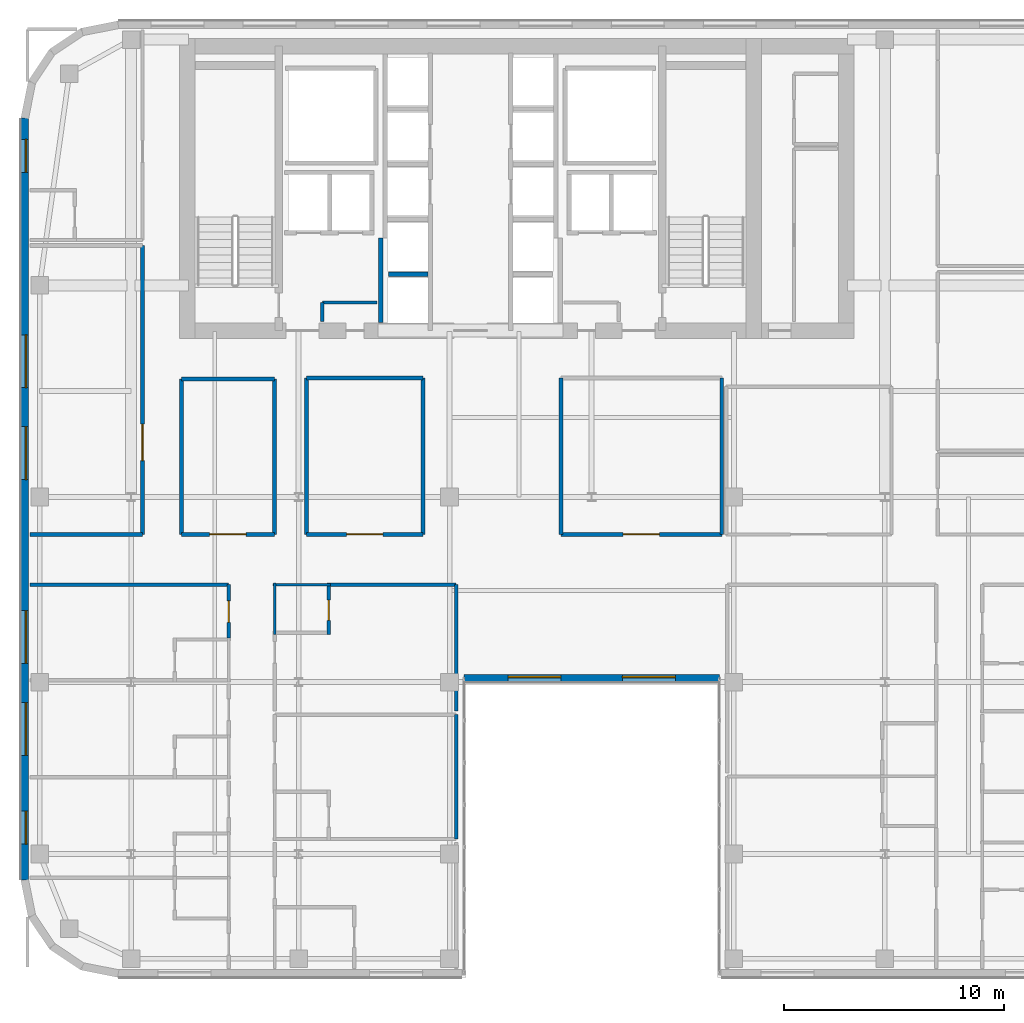
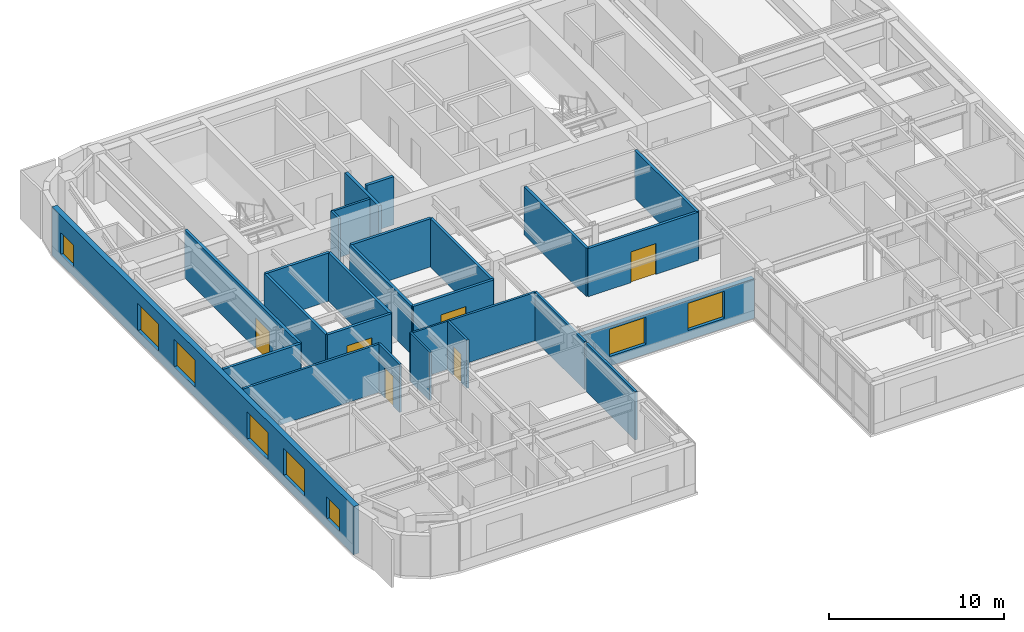
# One storey, part 10 of 20: 27 walls, 8 windows, 6 doors, 14 openings.
"""IFC4 building model written with IfcOpenShell, lengths in metres."""

from ifc_helpers import new_model, si_unit, direction, frame, frame_2d, origin, place, context, subcontext, project, spatial, rectangle, extrude, source, transform, mapped, material, layer, layer_set, type_object, type_shapes, element, fill, save


model = new_model("IFC4")

# Units and contexts
model_context = context("Model", 3, precision=1e-05, world=origin(), true_north=direction((0.0, 1.0)))
body_context = subcontext(model_context, "Body", "Model", "MODEL_VIEW")
ifc_project = project(units=[si_unit("LENGTHUNIT", "METRE"), si_unit("AREAUNIT", "SQUARE_METRE"), si_unit("VOLUMEUNIT", "CUBIC_METRE"), si_unit("PLANEANGLEUNIT", "RADIAN"), si_unit("MASSUNIT", "GRAM", prefix="KILO")], contexts=[model_context])

# Site, building, storey
site_placement = place(None, origin())
site = spatial("IfcSite", under=ifc_project, at=site_placement, CompositionType="ELEMENT")
building_placement = place(site_placement, origin())
building = spatial("IfcBuilding", under=site, at=building_placement, Name="Tolvann Quenvar Hotel", CompositionType="ELEMENT")
storey_placement = place(building_placement, frame((0.0, 0.0, 191.10009765625)))
storey = spatial("IfcBuildingStorey", under=building, at=storey_placement, Name="L50", CompositionType="ELEMENT", Elevation=191.10009765625)

# Wall, openings, windows
ifc_material_1 = material(Name="Kiln-fired red and buff architectural clay brickwork and terracotta masonry", Category="masonry")
ifc_layer_1 = layer(ifc_material_1, 0.35009765625)
ifc_layer_set_1 = layer_set([ifc_layer_1], Name="Kiln-fired red and buff architectural clay brickwork and terracotta masonry")
wall_type_1 = type_object("IfcWallType", Name="WALL_EXT_BRICK_350", PredefinedType="SOLIDWALL", material=ifc_layer_set_1)
wall_1_placement = place(storey_placement, frame((22.7099609375, 16.175048828125, 0.0), z_axis=(0.0, 0.0, 1.0), x_axis=(1.0, 0.0, 0.0)))
wall_1 = element("IfcWall", 1, at=wall_1_placement, inside=storey, type_object=wall_type_1, Name="Exterior Chicago Brick Wall L50-E06", PredefinedType="SOLIDWALL", context=body_context, shape_type="SweptSolid", body=[
    extrude(rectangle(XDim=11.580078125, YDim=0.35009765625, at=frame_2d((5.7900390625, 0.0))), origin(), (0.0, 0.0, 1.0), 2.7578125),
])
opening_1_placement = place(wall_1_placement, frame((1.9951171875, 0.0, 0.679931640625)))
opening_1 = element("IfcOpeningElement", 2, at=opening_1_placement, cuts=wall_1, Name="Opening W-01", PredefinedType="OPENING", context=body_context, shape_type="SweptSolid", body=[
    extrude(rectangle(XDim=2.39990234375, YDim=1.89990234375, at=frame_2d((1.199951171875, 0.949951171875))), frame((0.0, 0.18505859375, 0.0), z_axis=(0.0, -1.0, 0.0), x_axis=(1.0, 0.0, 0.0)), (0.0, 0.0, 1.0), 0.3701171875),
])
opening_2_placement = place(wall_1_placement, frame((7.18505859375, 0.0, 0.679931640625)))
opening_2 = element("IfcOpeningElement", 3, at=opening_2_placement, cuts=wall_1, Name="Opening W-01", PredefinedType="OPENING", context=body_context, shape_type="SweptSolid", body=[
    extrude(rectangle(XDim=2.39990234375, YDim=1.89990234375, at=frame_2d((1.199951171875, 0.949951171875))), frame((0.0, 0.18505859375, 0.0), z_axis=(0.0, -1.0, 0.0), x_axis=(1.0, 0.0, 0.0)), (0.0, 0.0, 1.0), 0.3701171875),
])
ifc_material_2 = material(Name="Thermally broken bronze-anodised aluminium frame with double low-E glazing", Category="aluminium")
window_type_1 = type_object("IfcWindowType", Name="WIN_CHI_2400x2050", PartitioningType="TRIPLE_PANEL_HORIZONTAL", PredefinedType="WINDOW", material=ifc_material_2)
shared_shape_1 = source(origin(), body_context, "Body", "SweptSolid", [
    extrude(rectangle(XDim=2.39990234375, YDim=1.89990234375, at=frame_2d((1.199951171875, 0.949951171875))), frame((0.0, 0.090087890625, 0.0), z_axis=(0.0, -1.0, 0.0), x_axis=(1.0, 0.0, 0.0)), (0.0, 0.0, 1.0), 0.06005859375),
])
type_shapes(window_type_1, [shared_shape_1])
window_1_placement = place(opening_1_placement, origin())
window_1 = element("IfcWindow", 4, at=window_1_placement, inside=storey, type_object=window_type_1, Name="Chicago Window W-01 (EW-L50-E06-W01)", OverallHeight=1.89990234375, OverallWidth=2.39990234375, PartitioningType="TRIPLE_PANEL_HORIZONTAL", PredefinedType="WINDOW", context=body_context, shape_type="MappedRepresentation", body=[
    mapped(shared_shape_1, transform((0.0, 0.0, 0.0), x_axis=(1.0, 0.0, 0.0), y_axis=(0.0, 1.0, 0.0), z_axis=(0.0, 0.0, 1.0), scale=1.0)),
])
fill(opening_1, window_1)
window_2_placement = place(opening_2_placement, origin())
window_2 = element("IfcWindow", 5, at=window_2_placement, inside=storey, type_object=window_type_1, Name="Chicago Window W-01 (EW-L50-E06-W02)", OverallHeight=1.89990234375, OverallWidth=2.39990234375, PartitioningType="TRIPLE_PANEL_HORIZONTAL", PredefinedType="WINDOW", context=body_context, shape_type="MappedRepresentation", body=[
    mapped(shared_shape_1, transform((0.0, 0.0, 0.0), x_axis=(1.0, 0.0, 0.0), y_axis=(0.0, 1.0, 0.0), z_axis=(0.0, 0.0, 1.0), scale=1.0)),
])
fill(opening_2, window_2)

wall_2_placement = place(storey_placement, frame((2.77490234375, 41.582763671875, 0.0), z_axis=(0.0, 0.0, 1.0), x_axis=(0.0, -1.0, 0.0)))
wall_2 = element("IfcWall", 6, at=wall_2_placement, inside=storey, type_object=wall_type_1, Name="Exterior Chicago Brick Wall L50-E23", PredefinedType="SOLIDWALL", context=body_context, shape_type="SweptSolid", body=[
    extrude(rectangle(XDim=34.565673828125, YDim=0.35009765625, at=frame_2d((17.28271484375, 0.0))), origin(), (0.0, 0.0, 1.0), 3.369873046875),
])
opening_3_placement = place(wall_2_placement, frame((9.826904296875, 0.0, 0.679931640625)))
opening_3 = element("IfcOpeningElement", 7, at=opening_3_placement, cuts=wall_2, Name="Opening W-01", PredefinedType="OPENING", context=body_context, shape_type="SweptSolid", body=[
    extrude(rectangle(XDim=2.39990234375, YDim=1.89990234375, at=frame_2d((1.199951171875, 0.949951171875))), frame((0.0, 0.18505859375, 0.0), z_axis=(0.0, -1.0, 0.0), x_axis=(1.0, 0.0, 0.0)), (0.0, 0.0, 1.0), 0.3701171875),
])
opening_4_placement = place(wall_2_placement, frame((13.9970703125, 0.0, 0.679931640625)))
opening_4 = element("IfcOpeningElement", 8, at=opening_4_placement, cuts=wall_2, Name="Opening W-01", PredefinedType="OPENING", context=body_context, shape_type="SweptSolid", body=[
    extrude(rectangle(XDim=2.39990234375, YDim=1.89990234375, at=frame_2d((1.199951171875, 0.949951171875))), frame((0.0, 0.18505859375, 0.0), z_axis=(0.0, -1.0, 0.0), x_axis=(1.0, 0.0, 0.0)), (0.0, 0.0, 1.0), 0.3701171875),
])
opening_5_placement = place(wall_2_placement, frame((22.339111328125, 0.0, 0.679931640625)))
opening_5 = element("IfcOpeningElement", 9, at=opening_5_placement, cuts=wall_2, Name="Opening W-01", PredefinedType="OPENING", context=body_context, shape_type="SweptSolid", body=[
    extrude(rectangle(XDim=2.39990234375, YDim=1.89990234375, at=frame_2d((1.199951171875, 0.949951171875))), frame((0.0, 0.18505859375, 0.0), z_axis=(0.0, -1.0, 0.0), x_axis=(1.0, 0.0, 0.0)), (0.0, 0.0, 1.0), 0.3701171875),
])
opening_6_placement = place(wall_2_placement, frame((26.510009765625, 0.0, 0.679931640625)))
opening_6 = element("IfcOpeningElement", 10, at=opening_6_placement, cuts=wall_2, Name="Opening W-01", PredefinedType="OPENING", context=body_context, shape_type="SweptSolid", body=[
    extrude(rectangle(XDim=2.39990234375, YDim=1.89990234375, at=frame_2d((1.199951171875, 0.949951171875))), frame((0.0, 0.18505859375, 0.0), z_axis=(0.0, -1.0, 0.0), x_axis=(1.0, 0.0, 0.0)), (0.0, 0.0, 1.0), 0.3701171875),
])
opening_7_placement = place(wall_2_placement, frame((31.43310546875, 0.0, 0.6201171875)))
opening_7 = element("IfcOpeningElement", 11, at=opening_7_placement, cuts=wall_2, Name="Opening W-08", PredefinedType="OPENING", context=body_context, shape_type="SweptSolid", body=[
    extrude(rectangle(XDim=1.5, YDim=1.550048828125, at=frame_2d((0.75, 0.77490234375))), frame((0.0, 0.18505859375, 0.0), z_axis=(0.0, -1.0, 0.0), x_axis=(1.0, 0.0, 0.0)), (0.0, 0.0, 1.0), 0.3701171875),
])
opening_8_placement = place(wall_2_placement, frame((0.9609375, 0.0, 0.6201171875)))
opening_8 = element("IfcOpeningElement", 12, at=opening_8_placement, cuts=wall_2, Name="Opening W-08", PredefinedType="OPENING", context=body_context, shape_type="SweptSolid", body=[
    extrude(rectangle(XDim=1.5, YDim=1.550048828125, at=frame_2d((0.75, 0.77490234375))), frame((0.0, 0.18505859375, 0.0), z_axis=(0.0, -1.0, 0.0), x_axis=(1.0, 0.0, 0.0)), (0.0, 0.0, 1.0), 0.3701171875),
])
window_type_2 = type_object("IfcWindowType", Name="WIN_COR_1500x2050", PartitioningType="SINGLE_PANEL", PredefinedType="WINDOW", material=ifc_material_2)
shared_shape_2 = source(origin(), body_context, "Body", "SweptSolid", [
    extrude(rectangle(XDim=1.5, YDim=1.550048828125, at=frame_2d((0.75, 0.77490234375))), frame((0.0, 0.090087890625, 0.0), z_axis=(0.0, -1.0, 0.0), x_axis=(1.0, 0.0, 0.0)), (0.0, 0.0, 1.0), 0.06005859375),
])
type_shapes(window_type_2, [shared_shape_2])
window_3_placement = place(opening_7_placement, origin())
window_3 = element("IfcWindow", 13, at=window_3_placement, inside=storey, type_object=window_type_2, Name="Chicago Window W-08 (EW-L50-E23-WD05)", OverallHeight=1.550048828125, OverallWidth=1.5, PartitioningType="SINGLE_PANEL", PredefinedType="WINDOW", context=body_context, shape_type="MappedRepresentation", body=[
    mapped(shared_shape_2, transform((0.0, 0.0, 0.0), x_axis=(1.0, 0.0, 0.0), y_axis=(0.0, 1.0, 0.0), z_axis=(0.0, 0.0, 1.0), scale=1.0)),
])
fill(opening_7, window_3)
window_4_placement = place(opening_8_placement, origin())
window_4 = element("IfcWindow", 14, at=window_4_placement, inside=storey, type_object=window_type_2, Name="Chicago Window W-08 (EW-L50-E23-WD06)", OverallHeight=1.550048828125, OverallWidth=1.5, PartitioningType="SINGLE_PANEL", PredefinedType="WINDOW", context=body_context, shape_type="MappedRepresentation", body=[
    mapped(shared_shape_2, transform((0.0, 0.0, 0.0), x_axis=(1.0, 0.0, 0.0), y_axis=(0.0, 1.0, 0.0), z_axis=(0.0, 0.0, 1.0), scale=1.0)),
])
fill(opening_8, window_4)
window_5_placement = place(opening_3_placement, origin())
window_5 = element("IfcWindow", 15, at=window_5_placement, inside=storey, type_object=window_type_1, Name="Chicago Window W-01 (EW-L50-E23-W01)", OverallHeight=1.89990234375, OverallWidth=2.39990234375, PartitioningType="TRIPLE_PANEL_HORIZONTAL", PredefinedType="WINDOW", context=body_context, shape_type="MappedRepresentation", body=[
    mapped(shared_shape_1, transform((0.0, 0.0, 0.0), x_axis=(1.0, 0.0, 0.0), y_axis=(0.0, 1.0, 0.0), z_axis=(0.0, 0.0, 1.0), scale=1.0)),
])
fill(opening_3, window_5)
window_6_placement = place(opening_4_placement, origin())
window_6 = element("IfcWindow", 16, at=window_6_placement, inside=storey, type_object=window_type_1, Name="Chicago Window W-01 (EW-L50-E23-W02)", OverallHeight=1.89990234375, OverallWidth=2.39990234375, PartitioningType="TRIPLE_PANEL_HORIZONTAL", PredefinedType="WINDOW", context=body_context, shape_type="MappedRepresentation", body=[
    mapped(shared_shape_1, transform((0.0, 0.0, 0.0), x_axis=(1.0, 0.0, 0.0), y_axis=(0.0, 1.0, 0.0), z_axis=(0.0, 0.0, 1.0), scale=1.0)),
])
fill(opening_4, window_6)
window_7_placement = place(opening_5_placement, origin())
window_7 = element("IfcWindow", 17, at=window_7_placement, inside=storey, type_object=window_type_1, Name="Chicago Window W-01 (EW-L50-E23-W03)", OverallHeight=1.89990234375, OverallWidth=2.39990234375, PartitioningType="TRIPLE_PANEL_HORIZONTAL", PredefinedType="WINDOW", context=body_context, shape_type="MappedRepresentation", body=[
    mapped(shared_shape_1, transform((0.0, 0.0, 0.0), x_axis=(1.0, 0.0, 0.0), y_axis=(0.0, 1.0, 0.0), z_axis=(0.0, 0.0, 1.0), scale=1.0)),
])
fill(opening_5, window_7)
window_8_placement = place(opening_6_placement, origin())
window_8 = element("IfcWindow", 18, at=window_8_placement, inside=storey, type_object=window_type_1, Name="Chicago Window W-01 (EW-L50-E23-W04)", OverallHeight=1.89990234375, OverallWidth=2.39990234375, PartitioningType="TRIPLE_PANEL_HORIZONTAL", PredefinedType="WINDOW", context=body_context, shape_type="MappedRepresentation", body=[
    mapped(shared_shape_1, transform((0.0, 0.0, 0.0), x_axis=(1.0, 0.0, 0.0), y_axis=(0.0, 1.0, 0.0), z_axis=(0.0, 0.0, 1.0), scale=1.0)),
])
fill(opening_6, window_8)

# Wall, opening, door
ifc_material_3 = material(Name="Acoustic twin-stud fire-rated gypsum plasterboard partition")
ifc_layer_2 = layer(ifc_material_3, 0.179931640625)
ifc_layer_set_2 = layer_set([ifc_layer_2], Name="Acoustic twin-stud fire-rated gypsum plasterboard partition")
wall_type_2 = type_object("IfcWallType", Name="WALL_PART_ACOUSTIC_180", PredefinedType="PARTITIONING", material=ifc_layer_set_2)
wall_3_placement = place(storey_placement, frame((8.1201171875, 22.699951171875, 0.0), z_axis=(0.0, 0.0, 1.0), x_axis=(0.0, 1.0, 0.0)))
wall_3 = element("IfcWall", 19, at=wall_3_placement, inside=storey, type_object=wall_type_2, Name="Interior Partition PT-SPC-L50-SAL-ENT", PredefinedType="PARTITIONING", context=body_context, shape_type="SweptSolid", body=[
    extrude(rectangle(XDim=13.10009765625, YDim=0.179931640625, at=frame_2d((6.550048828125, 0.0))), origin(), (0.0, 0.0, 1.0), 3.369873046875),
])
opening_9_placement = place(wall_3_placement, frame((3.35009765625, 0.0, 0.0)))
opening_9 = element("IfcOpeningElement", 20, at=opening_9_placement, cuts=wall_3, Name="Opening AD-01", PredefinedType="OPENING", context=body_context, shape_type="SweptSolid", body=[
    extrude(rectangle(XDim=1.64990234375, YDim=2.14990234375, at=frame_2d((0.824951171875, 1.074951171875))), frame((0.0, 0.10009765625, 0.0), z_axis=(0.0, -1.0, 0.0), x_axis=(1.0, 0.0, 0.0)), (0.0, 0.0, 1.0), 0.199951171875),
])
ifc_material_4 = material(Name="Solid-core American oak acoustic fire door leaf in steel frame", Category="steel")
door_type_1 = type_object("IfcDoorType", Name="DOOR_SALON_1650", OperationType="NOTDEFINED", PredefinedType="DOOR", material=ifc_material_4)
shared_shape_3 = source(origin(), body_context, "Body", "SweptSolid", [
    extrude(rectangle(XDim=1.64990234375, YDim=2.14990234375, at=frame_2d((0.824951171875, 1.074951171875))), frame((0.0, 0.02490234375, 0.0), z_axis=(0.0, -1.0, 0.0), x_axis=(1.0, 0.0, 0.0)), (0.0, 0.0, 1.0), 0.050048828125),
])
type_shapes(door_type_1, [shared_shape_3])
door_1_placement = place(opening_9_placement, origin())
door_1 = element("IfcDoor", 21, at=door_1_placement, inside=storey, type_object=door_type_1, Name="Interior Door DOOR-SPC-L50-SAL", OperationType="DOUBLE_DOOR_SINGLE_SWING", OverallHeight=2.14990234375, OverallWidth=1.64990234375, PredefinedType="DOOR", context=body_context, shape_type="MappedRepresentation", body=[
    mapped(shared_shape_3, transform((0.0, 0.0, 0.0), x_axis=(1.0, 0.0, 0.0), y_axis=(0.0, 1.0, 0.0), z_axis=(0.0, 0.0, 1.0), scale=1.0)),
])
fill(opening_9, door_1)

# Wall
wall_4_placement = place(storey_placement, frame((3.0048828125, 22.699951171875, 0.0), z_axis=(0.0, 0.0, 1.0), x_axis=(1.0, 0.0, 0.0)))
element("IfcWall", 22, at=wall_4_placement, inside=storey, type_object=wall_type_2, Name="Interior Partition PT-SPC-L50-SAL-S", PredefinedType="PARTITIONING", context=body_context, shape_type="SweptSolid", body=[
    extrude(rectangle(XDim=5.115234375, YDim=0.179931640625, at=frame_2d((2.5576171875, 0.0))), origin(), (0.0, 0.0, 1.0), 3.369873046875),
])

# Wall, opening, door
wall_5_placement = place(storey_placement, frame((9.8798828125, 22.699951171875, 0.0), z_axis=(0.0, 0.0, 1.0), x_axis=(1.0, 0.0, 0.0)))
wall_5 = element("IfcWall", 23, at=wall_5_placement, inside=storey, type_object=wall_type_2, Name="Interior Partition PT-SPC-L50-MSP-W-S", PredefinedType="PARTITIONING", context=body_context, shape_type="SweptSolid", body=[
    extrude(rectangle(XDim=4.22021484375, YDim=0.179931640625, at=frame_2d((2.110107421875, 0.0))), origin(), (0.0, 0.0, 1.0), 3.369873046875),
])
opening_10_placement = place(wall_5_placement, frame((1.284912109375, 0.0, 0.0)))
opening_10 = element("IfcOpeningElement", 24, at=opening_10_placement, cuts=wall_5, Name="Opening AD-01", PredefinedType="OPENING", context=body_context, shape_type="SweptSolid", body=[
    extrude(rectangle(XDim=1.64990234375, YDim=2.14990234375, at=frame_2d((0.824951171875, 1.074951171875))), frame((0.0, 0.10009765625, 0.0), z_axis=(0.0, -1.0, 0.0), x_axis=(1.0, 0.0, 0.0)), (0.0, 0.0, 1.0), 0.199951171875),
])
door_2_placement = place(opening_10_placement, origin())
door_2 = element("IfcDoor", 25, at=door_2_placement, inside=storey, type_object=door_type_1, Name="Interior Door DOOR-SPC-L50-MSP-W", OperationType="DOUBLE_DOOR_SINGLE_SWING", OverallHeight=2.14990234375, OverallWidth=1.64990234375, PredefinedType="DOOR", context=body_context, shape_type="MappedRepresentation", body=[
    mapped(shared_shape_3, transform((0.0, 0.0, 0.0), x_axis=(1.0, 0.0, 0.0), y_axis=(0.0, 1.0, 0.0), z_axis=(0.0, 0.0, 1.0), scale=1.0)),
])
fill(opening_10, door_2)

# Walls
wall_6_placement = place(storey_placement, frame((9.8798828125, 29.75, 0.0), z_axis=(0.0, 0.0, 1.0), x_axis=(1.0, 0.0, 0.0)))
element("IfcWall", 26, at=wall_6_placement, inside=storey, type_object=wall_type_2, Name="Interior Partition PT-SPC-L50-MSP-W-N", PredefinedType="PARTITIONING", context=body_context, shape_type="SweptSolid", body=[
    extrude(rectangle(XDim=4.22021484375, YDim=0.179931640625, at=frame_2d((2.110107421875, 0.0))), origin(), (0.0, 0.0, 1.0), 3.369873046875),
])
for number, where, z_axis, x_axis, name in (
    (27, (9.8798828125, 22.699951171875, 0.0), (0.0, 0.0, 1.0), (0.0, 1.0, 0.0), "Interior Partition PT-SPC-L50-MSP-W-W"),
    (28, (14.10009765625, 22.699951171875, 0.0), (0.0, 0.0, 1.0), (0.0, 1.0, 0.0), "Interior Partition PT-SPC-L50-MSP-W-E"),
):
    element("IfcWall", number, at=place(storey_placement, frame(where, z_axis=z_axis, x_axis=x_axis)), inside=storey, type_object=wall_type_2, Name=name, PredefinedType="PARTITIONING", context=body_context, shape_type="SweptSolid", body=[
        extrude(rectangle(XDim=7.050048828125, YDim=0.179931640625, at=frame_2d((3.52490234375, 0.0))), origin(), (0.0, 0.0, 1.0), 3.369873046875),
    ])

# Wall, opening, door
wall_7_placement = place(storey_placement, frame((27.10009765625, 22.699951171875, 0.0), z_axis=(0.0, 0.0, 1.0), x_axis=(1.0, 0.0, 0.0)))
wall_7 = element("IfcWall", 29, at=wall_7_placement, inside=storey, type_object=wall_type_2, Name="Interior Partition PT-SPC-L50-MSP-C-S", PredefinedType="PARTITIONING", context=body_context, shape_type="SweptSolid", body=[
    extrude(rectangle(XDim=7.2998046875, YDim=0.179931640625, at=frame_2d((3.64990234375, 0.0))), origin(), (0.0, 0.0, 1.0), 3.369873046875),
])
opening_11_placement = place(wall_7_placement, frame((2.824951171875, 0.0, 0.0)))
opening_11 = element("IfcOpeningElement", 30, at=opening_11_placement, cuts=wall_7, Name="Opening AD-01", PredefinedType="OPENING", context=body_context, shape_type="SweptSolid", body=[
    extrude(rectangle(XDim=1.64990234375, YDim=2.14990234375, at=frame_2d((0.824951171875, 1.074951171875))), frame((0.0, 0.10009765625, 0.0), z_axis=(0.0, -1.0, 0.0), x_axis=(1.0, 0.0, 0.0)), (0.0, 0.0, 1.0), 0.199951171875),
])
door_3_placement = place(opening_11_placement, origin())
door_3 = element("IfcDoor", 31, at=door_3_placement, inside=storey, type_object=door_type_1, Name="Interior Door DOOR-SPC-L50-MSP-C", OperationType="DOUBLE_DOOR_SINGLE_SWING", OverallHeight=2.14990234375, OverallWidth=1.64990234375, PredefinedType="DOOR", context=body_context, shape_type="MappedRepresentation", body=[
    mapped(shared_shape_3, transform((0.0, 0.0, 0.0), x_axis=(1.0, 0.0, 0.0), y_axis=(0.0, 1.0, 0.0), z_axis=(0.0, 0.0, 1.0), scale=1.0)),
])
fill(opening_11, door_3)

# Walls
for number, where, z_axis, x_axis, name in (
    (32, (27.10009765625, 22.699951171875, 0.0), (0.0, 0.0, 1.0), (0.0, 1.0, 0.0), "Interior Partition PT-SPC-L50-MSP-C-W"),
    (33, (34.39990234375, 22.699951171875, 0.0), (0.0, 0.0, 1.0), (0.0, 1.0, 0.0), "Interior Partition PT-SPC-L50-MSP-C-E"),
):
    element("IfcWall", number, at=place(storey_placement, frame(where, z_axis=z_axis, x_axis=x_axis)), inside=storey, type_object=wall_type_2, Name=name, PredefinedType="PARTITIONING", context=body_context, shape_type="SweptSolid", body=[
        extrude(rectangle(XDim=7.10009765625, YDim=0.179931640625, at=frame_2d((3.550048828125, 0.0))), origin(), (0.0, 0.0, 1.0), 3.369873046875),
    ])

# Wall, opening, door
wall_8_placement = place(storey_placement, frame((15.550048828125, 22.699951171875, 0.0), z_axis=(0.0, 0.0, 1.0), x_axis=(1.0, 0.0, 0.0)))
wall_8 = element("IfcWall", 34, at=wall_8_placement, inside=storey, type_object=wall_type_2, Name="Interior Partition PT-SPC-L50-MSP-N-S", PredefinedType="PARTITIONING", context=body_context, shape_type="SweptSolid", body=[
    extrude(rectangle(XDim=5.300048828125, YDim=0.179931640625, at=frame_2d((2.64990234375, 0.0))), origin(), (0.0, 0.0, 1.0), 3.369873046875),
])
opening_12_placement = place(wall_8_placement, frame((1.824951171875, 0.0, 0.0)))
opening_12 = element("IfcOpeningElement", 35, at=opening_12_placement, cuts=wall_8, Name="Opening AD-01", PredefinedType="OPENING", context=body_context, shape_type="SweptSolid", body=[
    extrude(rectangle(XDim=1.64990234375, YDim=2.14990234375, at=frame_2d((0.824951171875, 1.074951171875))), frame((0.0, 0.10009765625, 0.0), z_axis=(0.0, -1.0, 0.0), x_axis=(1.0, 0.0, 0.0)), (0.0, 0.0, 1.0), 0.199951171875),
])
door_4_placement = place(opening_12_placement, origin())
door_4 = element("IfcDoor", 36, at=door_4_placement, inside=storey, type_object=door_type_1, Name="Interior Door DOOR-SPC-L50-MSP-N", OperationType="DOUBLE_DOOR_SINGLE_SWING", OverallHeight=2.14990234375, OverallWidth=1.64990234375, PredefinedType="DOOR", context=body_context, shape_type="MappedRepresentation", body=[
    mapped(shared_shape_3, transform((0.0, 0.0, 0.0), x_axis=(1.0, 0.0, 0.0), y_axis=(0.0, 1.0, 0.0), z_axis=(0.0, 0.0, 1.0), scale=1.0)),
])
fill(opening_12, door_4)

# Walls
wall_9_placement = place(storey_placement, frame((15.550048828125, 29.800048828125, 0.0), z_axis=(0.0, 0.0, 1.0), x_axis=(1.0, 0.0, 0.0)))
element("IfcWall", 37, at=wall_9_placement, inside=storey, type_object=wall_type_2, Name="Interior Partition PT-SPC-L50-MSP-N-N", PredefinedType="PARTITIONING", context=body_context, shape_type="SweptSolid", body=[
    extrude(rectangle(XDim=5.300048828125, YDim=0.179931640625, at=frame_2d((2.64990234375, 0.0))), origin(), (0.0, 0.0, 1.0), 3.369873046875),
])
for number, where, z_axis, x_axis, name in (
    (38, (15.550048828125, 22.699951171875, 0.0), (0.0, 0.0, 1.0), (0.0, 1.0, 0.0), "Interior Partition PT-SPC-L50-MSP-N-W"),
    (39, (20.85009765625, 22.699951171875, 0.0), (0.0, 0.0, 1.0), (0.0, 1.0, 0.0), "Interior Partition PT-SPC-L50-MSP-N-E"),
):
    element("IfcWall", number, at=place(storey_placement, frame(where, z_axis=z_axis, x_axis=x_axis)), inside=storey, type_object=wall_type_2, Name=name, PredefinedType="PARTITIONING", context=body_context, shape_type="SweptSolid", body=[
        extrude(rectangle(XDim=7.10009765625, YDim=0.179931640625, at=frame_2d((3.550048828125, 0.0))), origin(), (0.0, 0.0, 1.0), 3.369873046875),
    ])
ifc_material_5 = material(Name="Moisture-resistant acoustic plumbing wall assembly")
ifc_layer_3 = layer(ifc_material_5, 0.1201171875)
ifc_layer_set_3 = layer_set([ifc_layer_3], Name="Moisture-resistant acoustic plumbing wall assembly")
wall_type_3 = type_object("IfcWallType", Name="WALL_PART_BATH_120", PredefinedType="PLUMBINGWALL", material=ifc_layer_set_3)
wall_10_placement = place(storey_placement, frame((14.050048828125, 20.419921875, 0.0), z_axis=(0.0, 0.0, 1.0), x_axis=(1.0, 0.0, 0.0)))
element("IfcWall", 40, at=wall_10_placement, inside=storey, type_object=wall_type_3, Name="Non-Rated Plumbing Partition PT-SPC-L50-ENS-WI03-N", PredefinedType="PLUMBINGWALL", context=body_context, shape_type="SweptSolid", body=[
    extrude(rectangle(XDim=2.58984375, YDim=0.1201171875, at=frame_2d((1.294921875, 0.0))), origin(), (0.0, 0.0, 1.0), 3.369873046875),
])
wall_11_placement = place(storey_placement, frame((14.1201171875, 18.1689453125, 0.0), z_axis=(0.0, 0.0, 1.0), x_axis=(0.0, 1.0, 0.0)))
element("IfcWall", 41, at=wall_11_placement, inside=storey, type_object=wall_type_3, Name="Non-Rated Plumbing Partition PT-SPC-L50-ENS-WI03-W", PredefinedType="PLUMBINGWALL", context=body_context, shape_type="SweptSolid", body=[
    extrude(rectangle(XDim=2.321044921875, YDim=0.1201171875, at=frame_2d((1.16064453125, 0.0))), origin(), (0.0, 0.0, 1.0), 3.369873046875),
])

# Wall, opening, door
ifc_layer_4 = layer(ifc_material_3, 0.14990234375)
ifc_layer_set_4 = layer_set([ifc_layer_4], Name="Acoustic twin-stud fire-rated gypsum plasterboard partition")
wall_type_4 = type_object("IfcWallType", Name="WALL_PART_SUITE_150", PredefinedType="PARTITIONING", material=ifc_layer_set_4)
wall_12_placement = place(storey_placement, frame((16.570068359375, 18.1689453125, 0.0), z_axis=(0.0, 0.0, 1.0), x_axis=(0.0, 1.0, 0.0)))
wall_12 = element("IfcWall", 42, at=wall_12_placement, inside=storey, type_object=wall_type_4, Name="Interior Partition PT-SPC-L50-ENS-WI03-ENT", PredefinedType="PARTITIONING", context=body_context, shape_type="SweptSolid", body=[
    extrude(rectangle(XDim=2.321044921875, YDim=0.14990234375, at=frame_2d((1.16064453125, 0.0))), origin(), (0.0, 0.0, 1.0), 3.369873046875),
])
opening_13_placement = place(wall_12_placement, frame((0.630615234375, 0.0, 0.0)))
opening_13 = element("IfcOpeningElement", 43, at=opening_13_placement, cuts=wall_12, Name="Opening WD-01", PredefinedType="OPENING", context=body_context, shape_type="SweptSolid", body=[
    extrude(rectangle(XDim=0.919921875, YDim=2.010009765625, at=frame_2d((0.4599609375, 1.0048828125))), frame((0.0, 0.0849609375, 0.0), z_axis=(0.0, -1.0, 0.0), x_axis=(1.0, 0.0, 0.0)), (0.0, 0.0, 1.0), 0.169921875),
])
door_type_2 = type_object("IfcDoorType", Name="DOOR_WC_920", OperationType="NOTDEFINED", PredefinedType="DOOR", material=ifc_material_4)
shared_shape_4 = source(origin(), body_context, "Body", "SweptSolid", [
    extrude(rectangle(XDim=0.919921875, YDim=2.010009765625, at=frame_2d((0.4599609375, 1.0048828125))), frame((0.0, 0.02490234375, 0.0), z_axis=(0.0, -1.0, 0.0), x_axis=(1.0, 0.0, 0.0)), (0.0, 0.0, 1.0), 0.050048828125),
])
type_shapes(door_type_2, [shared_shape_4])
door_5_placement = place(opening_13_placement, origin())
door_5 = element("IfcDoor", 44, at=door_5_placement, inside=storey, type_object=door_type_2, Name="Interior Door DOOR-SPC-L50-ENS-WI03", OperationType="SINGLE_SWING_LEFT", OverallHeight=2.010009765625, OverallWidth=0.919921875, PredefinedType="DOOR", context=body_context, shape_type="MappedRepresentation", body=[
    mapped(shared_shape_4, transform((0.0, 0.0, 0.0), x_axis=(1.0, 0.0, 0.0), y_axis=(0.0, 1.0, 0.0), z_axis=(0.0, 0.0, 1.0), scale=1.0)),
])
fill(opening_13, door_5)

# Walls
wall_13_placement = place(storey_placement, frame((16.280029296875, 33.219970703125, 0.0), z_axis=(0.0, 0.0, 1.0), x_axis=(1.0, 0.0, 0.0)))
element("IfcWall", 45, at=wall_13_placement, inside=storey, type_object=wall_type_4, Name="Interior Partition PT-SPC-L50-CSW-1-N", PredefinedType="PARTITIONING", context=body_context, shape_type="SweptSolid", body=[
    extrude(rectangle(XDim=2.48486328125, YDim=0.14990234375, at=frame_2d((1.242431640625, 0.0))), origin(), (0.0, 0.0, 1.0), 3.369873046875),
])
wall_14_placement = place(storey_placement, frame((16.280029296875, 32.35498046875, 0.0), z_axis=(0.0, 0.0, 1.0), x_axis=(0.0, 1.0, 0.0)))
element("IfcWall", 46, at=wall_14_placement, inside=storey, type_object=wall_type_4, Name="Interior Partition PT-SPC-L50-CSW-1-W", PredefinedType="PARTITIONING", context=body_context, shape_type="SweptSolid", body=[
    extrude(rectangle(XDim=0.864990234375, YDim=0.14990234375, at=frame_2d((0.4326171875, 0.0))), origin(), (0.0, 0.0, 1.0), 3.369873046875),
])

# Wall, opening, door
wall_15_placement = place(storey_placement, frame((12.030029296875, 18.010009765625, 0.0), z_axis=(0.0, 0.0, 1.0), x_axis=(0.0, 1.0, 0.0)))
wall_15 = element("IfcWall", 47, at=wall_15_placement, inside=storey, type_object=wall_type_4, Name="Interior Partition PT-SPC-L50-RM-WO04-ENT", PredefinedType="PARTITIONING", context=body_context, shape_type="SweptSolid", body=[
    extrude(rectangle(XDim=2.409912109375, YDim=0.14990234375, at=frame_2d((1.205078125, 0.0))), origin(), (0.0, 0.0, 1.0), 3.369873046875),
])
opening_14_placement = place(wall_15_placement, frame((0.695068359375, 0.0, 0.0)))
opening_14 = element("IfcOpeningElement", 48, at=opening_14_placement, cuts=wall_15, Name="Opening SD-01", PredefinedType="OPENING", context=body_context, shape_type="SweptSolid", body=[
    extrude(rectangle(XDim=0.97998046875, YDim=2.1201171875, at=frame_2d((0.489990234375, 1.06005859375))), frame((0.0, 0.0849609375, 0.0), z_axis=(0.0, -1.0, 0.0), x_axis=(1.0, 0.0, 0.0)), (0.0, 0.0, 1.0), 0.169921875),
])
door_type_3 = type_object("IfcDoorType", Name="DOOR_SUITE_980", OperationType="NOTDEFINED", PredefinedType="DOOR", material=ifc_material_4)
shared_shape_5 = source(origin(), body_context, "Body", "SweptSolid", [
    extrude(rectangle(XDim=0.97998046875, YDim=2.1201171875, at=frame_2d((0.489990234375, 1.06005859375))), frame((0.0, 0.02490234375, 0.0), z_axis=(0.0, -1.0, 0.0), x_axis=(1.0, 0.0, 0.0)), (0.0, 0.0, 1.0), 0.050048828125),
])
type_shapes(door_type_3, [shared_shape_5])
door_6_placement = place(opening_14_placement, origin())
door_6 = element("IfcDoor", 49, at=door_6_placement, inside=storey, type_object=door_type_3, Name="Interior Door DOOR-SPC-L50-RM-WO04", OperationType="SINGLE_SWING_RIGHT", OverallHeight=2.1201171875, OverallWidth=0.97998046875, PredefinedType="DOOR", context=body_context, shape_type="MappedRepresentation", body=[
    mapped(shared_shape_5, transform((0.0, 0.0, 0.0), x_axis=(1.0, 0.0, 0.0), y_axis=(0.0, 1.0, 0.0), z_axis=(0.0, 0.0, 1.0), scale=1.0)),
])
fill(opening_14, door_6)

# Walls
wall_16_placement = place(storey_placement, frame((3.0048828125, 20.419921875, 0.0), z_axis=(0.0, 0.0, 1.0), x_axis=(1.0, 0.0, 0.0)))
element("IfcWall", 50, at=wall_16_placement, inside=storey, type_object=wall_type_4, Name="Interior Partition PT-SPC-L50-RM-WO04-E5", PredefinedType="PARTITIONING", context=body_context, shape_type="SweptSolid", body=[
    extrude(rectangle(XDim=9.025146484375, YDim=0.14990234375, at=frame_2d((4.5126953125, 0.0))), origin(), (0.0, 0.0, 1.0), 3.369873046875),
])
wall_17_placement = place(storey_placement, frame((22.35009765625, 8.8798828125, 0.0), z_axis=(0.0, 0.0, 1.0), x_axis=(0.0, 1.0, 0.0)))
element("IfcWall", 51, at=wall_17_placement, inside=storey, type_object=wall_type_4, Name="Interior Partition PT-SPC-L50-RM-WI02-E4", PredefinedType="PARTITIONING", context=body_context, shape_type="SweptSolid", body=[
    extrude(rectangle(XDim=5.64013671875, YDim=0.14990234375, at=frame_2d((2.820068359375, 0.0))), origin(), (0.0, 0.0, 1.0), 3.369873046875),
])
wall_18_placement = place(storey_placement, frame((22.35009765625, 14.679931640625, 0.0), z_axis=(0.0, 0.0, 1.0), x_axis=(0.0, 1.0, 0.0)))
element("IfcWall", 52, at=wall_18_placement, inside=storey, type_object=wall_type_4, Name="Interior Partition PT-SPC-L50-RM-WI03-E2", PredefinedType="PARTITIONING", context=body_context, shape_type="SweptSolid", body=[
    extrude(rectangle(XDim=5.739990234375, YDim=0.14990234375, at=frame_2d((2.8701171875, 0.0))), origin(), (0.0, 0.0, 1.0), 3.369873046875),
])
wall_19_placement = place(storey_placement, frame((16.590087890625, 20.419921875, 0.0), z_axis=(0.0, 0.0, 1.0), x_axis=(1.0, 0.0, 0.0)))
element("IfcWall", 53, at=wall_19_placement, inside=storey, type_object=wall_type_4, Name="Interior Partition PT-SPC-L50-RM-WI03-E3", PredefinedType="PARTITIONING", context=body_context, shape_type="SweptSolid", body=[
    extrude(rectangle(XDim=5.760009765625, YDim=0.14990234375, at=frame_2d((2.8798828125, 0.0))), origin(), (0.0, 0.0, 1.0), 3.369873046875),
])
ifc_material_6 = material(Name="Concrete N40 (40 MPa)", Category="concrete")
ifc_layer_5 = layer(ifc_material_6, 0.199951171875)
ifc_layer_set_5 = layer_set([ifc_layer_5], Name="Concrete N40 (40 MPa)")
wall_type_5 = type_object("IfcWallType", Name="WALL_SHAFT_200", PredefinedType="SOLIDWALL", material=ifc_layer_set_5)
wall_20_placement = place(storey_placement, frame((18.919921875, 32.303955078125, 0.0), z_axis=(0.0, 0.0, 1.0), x_axis=(0.0, 1.0, 0.0)))
element("IfcWall", 54, at=wall_20_placement, inside=storey, type_object=wall_type_5, Name="Firefighting Lobby W Inner Fire Wall (L50)", PredefinedType="SOLIDWALL", context=body_context, shape_type="SweptSolid", body=[
    extrude(rectangle(XDim=3.845947265625, YDim=0.199951171875, at=frame_2d((1.9228515625, 0.0))), origin(), (0.0, 0.0, 1.0), 3.369873046875),
])
wall_21_placement = place(storey_placement, frame((19.27001953125, 34.5, 0.0), z_axis=(0.0, 0.0, 1.0), x_axis=(1.0, 0.0, 0.0)))
element("IfcWall", 55, at=wall_21_placement, inside=storey, type_object=wall_type_5, Name="Lift Bank E21.1C1 Divider Wall 1 (L50)", PredefinedType="SOLIDWALL", context=body_context, shape_type="SweptSolid", body=[
    extrude(rectangle(XDim=1.800048828125, YDim=0.199951171875, at=frame_2d((0.89990234375, 0.0))), origin(), (0.0, 0.0, 1.0), 3.369873046875),
])

save(model, "model.ifc")
